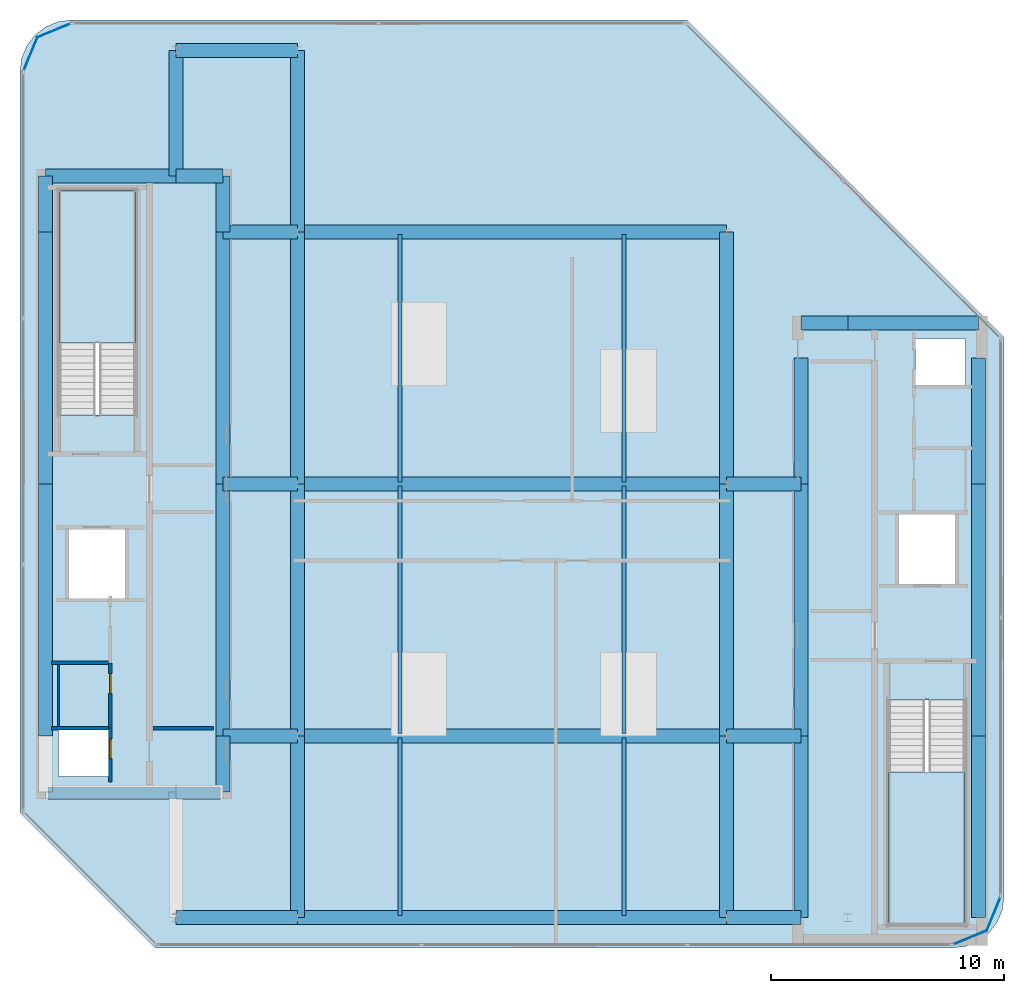
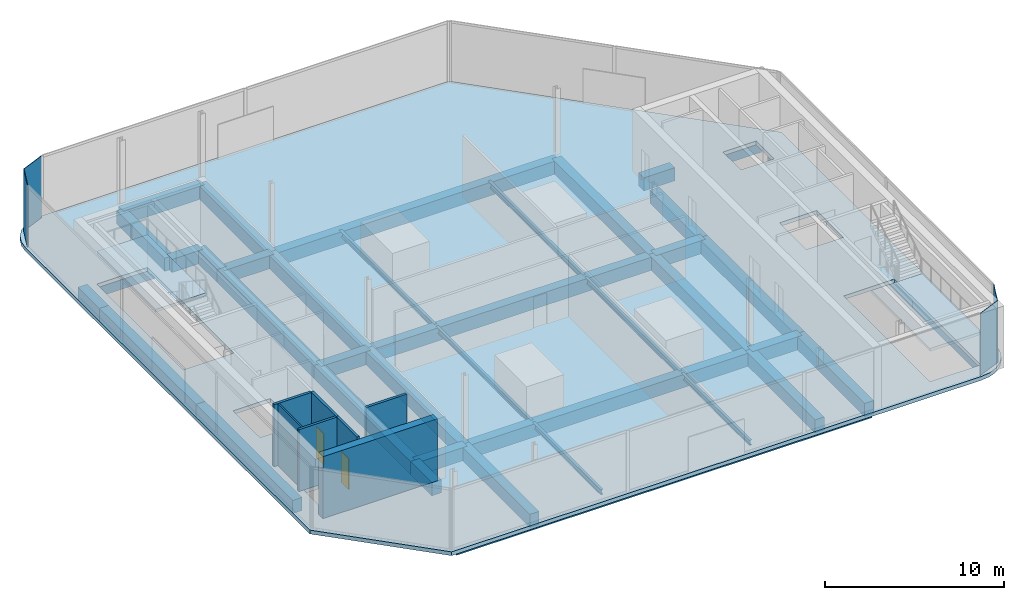
# One storey, part 4 of 15: 43 beams, 7 walls, 4 plates, 3 slabs, 2 doors, 2 openings, 2 elements without a shape of their own.
"""IFC4 building model written with IfcOpenShell, lengths in metres."""

from ifc_helpers import new_model, si_unit, direction, frame, frame_2d, origin, origin_2d, place, context, subcontext, project, spatial, polyline, rectangle, i_section, outline, extrude, material, layer, layer_set, material_profile, profile_set, type_object, element, fill, aggregate, save


model = new_model("IFC4")

# Units and contexts
model_context = context("Model", 3, precision=1e-05, world=origin(), true_north=direction((0.0, 1.0)))
body_context = subcontext(model_context, "Body", "Model", "MODEL_VIEW")
ifc_project = project(units=[si_unit("LENGTHUNIT", "METRE"), si_unit("AREAUNIT", "SQUARE_METRE"), si_unit("VOLUMEUNIT", "CUBIC_METRE"), si_unit("PLANEANGLEUNIT", "RADIAN"), si_unit("MASSUNIT", "GRAM", prefix="KILO")], contexts=[model_context])

# Site, building, storey
site_placement = place(None, origin())
site = spatial("IfcSite", under=ifc_project, at=site_placement, CompositionType="ELEMENT")
building_placement = place(site_placement, origin())
building = spatial("IfcBuilding", under=site, at=building_placement, Name="Khairoan Windgate Tower", CompositionType="ELEMENT")
storey_placement = place(building_placement, frame((0.0, 0.0, 335.0)))
storey = spatial("IfcBuildingStorey", under=building, at=storey_placement, Name="L80", CompositionType="ELEMENT", Elevation=335.0)

# Beams
ifc_material_1 = material(Name="Concrete C50/60", Category="concrete")
ifc_material_profile_1 = material_profile(ifc_material_1, rectangle(XDim=0.60009765625, YDim=0.89990234375, at=origin_2d()))
ifc_profile_set_1 = profile_set([ifc_material_profile_1], Name="Concrete C50/60")
beam_type_1 = type_object("IfcBeamType", Name="Beam B-RC1 RC600x900", PredefinedType="BEAM", material=ifc_profile_set_1)
beam_1_placement = place(storey_placement, frame((-14.39990234375, -18.60009765625, -0.7099609375), z_axis=(1.0, 0.0, 0.0), x_axis=(0.0, 1.0, 0.0)))
element("IfcBeam", 1, at=beam_1_placement, inside=storey, type_object=beam_type_1, Name="L80 E-W Primary Girder 01", PredefinedType="BEAM", context=body_context, shape_type="SweptSolid", body=[
    extrude(rectangle(XDim=0.60009765625, YDim=0.89990234375, at=origin_2d()), origin(), (0.0, 0.0, 1.0), 5.199951171875),
])
beam_2_placement = place(storey_placement, frame((-9.199951171875, -18.60009765625, -0.7099609375), z_axis=(1.0, 0.0, 0.0), x_axis=(0.0, 1.0, 0.0)))
element("IfcBeam", 2, at=beam_2_placement, inside=storey, type_object=beam_type_1, Name="L80 E-W Primary Girder 02", PredefinedType="BEAM", context=body_context, shape_type="SweptSolid", body=[
    extrude(rectangle(XDim=0.60009765625, YDim=0.89990234375, at=origin_2d()), origin(), (0.0, 0.0, 1.0), 18.39990234375),
])
for number, where, z_axis, x_axis, name in (
    (3, (9.199951171875, -18.60009765625, -0.7099609375), (1.0, 0.0, 0.0), (0.0, 1.0, 0.0), "L80 E-W Primary Girder 03"),
    (4, (-12.39990234375, -10.800048828125, -0.7099609375), (1.0, 0.0, 0.0), (0.0, 1.0, 0.0), "L80 E-W Primary Girder 06"),
):
    element("IfcBeam", number, at=place(storey_placement, frame(where, z_axis=z_axis, x_axis=x_axis)), inside=storey, type_object=beam_type_1, Name=name, PredefinedType="BEAM", context=body_context, shape_type="SweptSolid", body=[
        extrude(rectangle(XDim=0.60009765625, YDim=0.89990234375, at=origin_2d()), origin(), (0.0, 0.0, 1.0), 3.199951171875),
    ])
beam_3_placement = place(storey_placement, frame((-9.199951171875, -10.800048828125, -0.7099609375), z_axis=(1.0, 0.0, 0.0), x_axis=(0.0, 1.0, 0.0)))
element("IfcBeam", 5, at=beam_3_placement, inside=storey, type_object=beam_type_1, Name="L80 E-W Primary Girder 07", PredefinedType="BEAM", context=body_context, shape_type="SweptSolid", body=[
    extrude(rectangle(XDim=0.60009765625, YDim=0.89990234375, at=origin_2d()), origin(), (0.0, 0.0, 1.0), 18.39990234375),
])
for number, where, z_axis, x_axis, name in (
    (6, (9.199951171875, -10.800048828125, -0.7099609375), (1.0, 0.0, 0.0), (0.0, 1.0, 0.0), "L80 E-W Primary Girder 08"),
    (7, (-12.39990234375, 0.0, -0.7099609375), (1.0, 0.0, 0.0), (0.0, 1.0, 0.0), "L80 E-W Primary Girder 09"),
):
    element("IfcBeam", number, at=place(storey_placement, frame(where, z_axis=z_axis, x_axis=x_axis)), inside=storey, type_object=beam_type_1, Name=name, PredefinedType="BEAM", context=body_context, shape_type="SweptSolid", body=[
        extrude(rectangle(XDim=0.60009765625, YDim=0.89990234375, at=origin_2d()), origin(), (0.0, 0.0, 1.0), 3.199951171875),
    ])
beam_4_placement = place(storey_placement, frame((-9.199951171875, 0.0, -0.7099609375), z_axis=(1.0, 0.0, 0.0), x_axis=(0.0, 1.0, 0.0)))
element("IfcBeam", 8, at=beam_4_placement, inside=storey, type_object=beam_type_1, Name="L80 E-W Primary Girder 10", PredefinedType="BEAM", context=body_context, shape_type="SweptSolid", body=[
    extrude(rectangle(XDim=0.60009765625, YDim=0.89990234375, at=origin_2d()), origin(), (0.0, 0.0, 1.0), 18.39990234375),
])
beam_5_placement = place(storey_placement, frame((9.199951171875, 0.0, -0.7099609375), z_axis=(1.0, 0.0, 0.0), x_axis=(0.0, 1.0, 0.0)))
element("IfcBeam", 9, at=beam_5_placement, inside=storey, type_object=beam_type_1, Name="L80 E-W Primary Girder 11", PredefinedType="BEAM", context=body_context, shape_type="SweptSolid", body=[
    extrude(rectangle(XDim=0.60009765625, YDim=0.89990234375, at=origin_2d()), origin(), (0.0, 0.0, 1.0), 3.199951171875),
])
beam_6_placement = place(storey_placement, frame((12.39990234375, 6.89990234375, -0.7099609375), z_axis=(1.0, 0.0, 0.0), x_axis=(0.0, 1.0, 0.0)))
element("IfcBeam", 10, at=beam_6_placement, inside=storey, type_object=beam_type_1, Name="L80 E-W Primary Girder 12", PredefinedType="BEAM", context=body_context, shape_type="SweptSolid", body=[
    extrude(rectangle(XDim=0.60009765625, YDim=0.89990234375, at=origin_2d()), origin(), (0.0, 0.0, 1.0), 2.0),
])
beam_7_placement = place(storey_placement, frame((14.39990234375, 6.89990234375, -0.7099609375), z_axis=(1.0, 0.0, 0.0), x_axis=(0.0, 1.0, 0.0)))
element("IfcBeam", 11, at=beam_7_placement, inside=storey, type_object=beam_type_1, Name="L80 E-W Primary Girder 13", PredefinedType="BEAM", context=body_context, shape_type="SweptSolid", body=[
    extrude(rectangle(XDim=0.60009765625, YDim=0.89990234375, at=origin_2d()), origin(), (0.0, 0.0, 1.0), 5.60009765625),
])
beam_8_placement = place(storey_placement, frame((-12.39990234375, 10.800048828125, -0.7099609375), z_axis=(1.0, 0.0, 0.0), x_axis=(0.0, 1.0, 0.0)))
element("IfcBeam", 12, at=beam_8_placement, inside=storey, type_object=beam_type_1, Name="L80 E-W Primary Girder 14", PredefinedType="BEAM", context=body_context, shape_type="SweptSolid", body=[
    extrude(rectangle(XDim=0.60009765625, YDim=0.89990234375, at=origin_2d()), origin(), (0.0, 0.0, 1.0), 3.199951171875),
])
beam_9_placement = place(storey_placement, frame((-9.199951171875, 10.800048828125, -0.7099609375), z_axis=(1.0, 0.0, 0.0), x_axis=(0.0, 1.0, 0.0)))
element("IfcBeam", 13, at=beam_9_placement, inside=storey, type_object=beam_type_1, Name="L80 E-W Primary Girder 15", PredefinedType="BEAM", context=body_context, shape_type="SweptSolid", body=[
    extrude(rectangle(XDim=0.60009765625, YDim=0.89990234375, at=origin_2d()), origin(), (0.0, 0.0, 1.0), 18.39990234375),
])
beam_10_placement = place(storey_placement, frame((-20.0, 13.199951171875, -0.7099609375), z_axis=(1.0, 0.0, 0.0), x_axis=(0.0, 1.0, 0.0)))
element("IfcBeam", 14, at=beam_10_placement, inside=storey, type_object=beam_type_1, Name="L80 E-W Primary Girder 16", PredefinedType="BEAM", context=body_context, shape_type="SweptSolid", body=[
    extrude(rectangle(XDim=0.60009765625, YDim=0.89990234375, at=origin_2d()), origin(), (0.0, 0.0, 1.0), 5.60009765625),
])
beam_11_placement = place(storey_placement, frame((-14.39990234375, 13.199951171875, -0.7099609375), z_axis=(1.0, 0.0, 0.0), x_axis=(0.0, 1.0, 0.0)))
element("IfcBeam", 15, at=beam_11_placement, inside=storey, type_object=beam_type_1, Name="L80 E-W Primary Girder 17", PredefinedType="BEAM", context=body_context, shape_type="SweptSolid", body=[
    extrude(rectangle(XDim=0.60009765625, YDim=0.89990234375, at=origin_2d()), origin(), (0.0, 0.0, 1.0), 2.0),
])
beam_12_placement = place(storey_placement, frame((-14.39990234375, 18.60009765625, -0.7099609375), z_axis=(1.0, 0.0, 0.0), x_axis=(0.0, 1.0, 0.0)))
element("IfcBeam", 16, at=beam_12_placement, inside=storey, type_object=beam_type_1, Name="L80 E-W Primary Girder 18", PredefinedType="BEAM", context=body_context, shape_type="SweptSolid", body=[
    extrude(rectangle(XDim=0.60009765625, YDim=0.89990234375, at=origin_2d()), origin(), (0.0, 0.0, 1.0), 5.199951171875),
])
for number, where, z_axis, x_axis, name in (
    (17, (-20.0, -10.800048828125, -0.7099609375), (0.0, 1.0, 0.0), (-1.0, 0.0, 0.0), "L80 N-S Primary Beam 20"),
    (18, (-20.0, 0.0, -0.7099609375), (0.0, 1.0, 0.0), (-1.0, 0.0, 0.0), "L80 N-S Primary Beam 21"),
):
    element("IfcBeam", number, at=place(storey_placement, frame(where, z_axis=z_axis, x_axis=x_axis)), inside=storey, type_object=beam_type_1, Name=name, PredefinedType="BEAM", context=body_context, shape_type="SweptSolid", body=[
        extrude(rectangle(XDim=0.60009765625, YDim=0.89990234375, at=origin_2d()), origin(), (0.0, 0.0, 1.0), 10.800048828125),
    ])
beam_13_placement = place(storey_placement, frame((-20.0, 10.800048828125, -0.7099609375), z_axis=(0.0, 1.0, 0.0), x_axis=(-1.0, 0.0, 0.0)))
element("IfcBeam", 19, at=beam_13_placement, inside=storey, type_object=beam_type_1, Name="L80 N-S Primary Beam 22", PredefinedType="BEAM", context=body_context, shape_type="SweptSolid", body=[
    extrude(rectangle(XDim=0.60009765625, YDim=0.89990234375, at=origin_2d()), origin(), (0.0, 0.0, 1.0), 2.39990234375),
])
beam_14_placement = place(storey_placement, frame((-14.39990234375, 13.199951171875, -0.7099609375), z_axis=(0.0, 1.0, 0.0), x_axis=(-1.0, 0.0, 0.0)))
element("IfcBeam", 20, at=beam_14_placement, inside=storey, type_object=beam_type_1, Name="L80 N-S Primary Beam 24", PredefinedType="BEAM", context=body_context, shape_type="SweptSolid", body=[
    extrude(rectangle(XDim=0.60009765625, YDim=0.89990234375, at=origin_2d()), origin(), (0.0, 0.0, 1.0), 5.400146484375),
])
beam_15_placement = place(storey_placement, frame((-12.39990234375, -13.199951171875, -0.7099609375), z_axis=(0.0, 1.0, 0.0), x_axis=(-1.0, 0.0, 0.0)))
element("IfcBeam", 21, at=beam_15_placement, inside=storey, type_object=beam_type_1, Name="L80 N-S Primary Beam 25", PredefinedType="BEAM", context=body_context, shape_type="SweptSolid", body=[
    extrude(rectangle(XDim=0.60009765625, YDim=0.89990234375, at=origin_2d()), origin(), (0.0, 0.0, 1.0), 2.39990234375),
])
for number, where, z_axis, x_axis, name in (
    (22, (-12.39990234375, -10.800048828125, -0.7099609375), (0.0, 1.0, 0.0), (-1.0, 0.0, 0.0), "L80 N-S Primary Beam 26"),
    (23, (-12.39990234375, 0.0, -0.7099609375), (0.0, 1.0, 0.0), (-1.0, 0.0, 0.0), "L80 N-S Primary Beam 27"),
):
    element("IfcBeam", number, at=place(storey_placement, frame(where, z_axis=z_axis, x_axis=x_axis)), inside=storey, type_object=beam_type_1, Name=name, PredefinedType="BEAM", context=body_context, shape_type="SweptSolid", body=[
        extrude(rectangle(XDim=0.60009765625, YDim=0.89990234375, at=origin_2d()), origin(), (0.0, 0.0, 1.0), 10.800048828125),
    ])
beam_16_placement = place(storey_placement, frame((-12.39990234375, 10.800048828125, -0.7099609375), z_axis=(0.0, 1.0, 0.0), x_axis=(-1.0, 0.0, 0.0)))
element("IfcBeam", 24, at=beam_16_placement, inside=storey, type_object=beam_type_1, Name="L80 N-S Primary Beam 28", PredefinedType="BEAM", context=body_context, shape_type="SweptSolid", body=[
    extrude(rectangle(XDim=0.60009765625, YDim=0.89990234375, at=origin_2d()), origin(), (0.0, 0.0, 1.0), 2.39990234375),
])
beam_17_placement = place(storey_placement, frame((-9.199951171875, -18.60009765625, -0.7099609375), z_axis=(0.0, 1.0, 0.0), x_axis=(-1.0, 0.0, 0.0)))
element("IfcBeam", 25, at=beam_17_placement, inside=storey, type_object=beam_type_1, Name="L80 N-S Primary Beam 29", PredefinedType="BEAM", context=body_context, shape_type="SweptSolid", body=[
    extrude(rectangle(XDim=0.60009765625, YDim=0.89990234375, at=origin_2d()), origin(), (0.0, 0.0, 1.0), 7.800048828125),
])
for number, where, z_axis, x_axis, name in (
    (26, (-9.199951171875, -10.800048828125, -0.7099609375), (0.0, 1.0, 0.0), (-1.0, 0.0, 0.0), "L80 N-S Primary Beam 30"),
    (27, (-9.199951171875, 0.0, -0.7099609375), (0.0, 1.0, 0.0), (-1.0, 0.0, 0.0), "L80 N-S Primary Beam 31"),
):
    element("IfcBeam", number, at=place(storey_placement, frame(where, z_axis=z_axis, x_axis=x_axis)), inside=storey, type_object=beam_type_1, Name=name, PredefinedType="BEAM", context=body_context, shape_type="SweptSolid", body=[
        extrude(rectangle(XDim=0.60009765625, YDim=0.89990234375, at=origin_2d()), origin(), (0.0, 0.0, 1.0), 10.800048828125),
    ])
for number, where, z_axis, x_axis, name in (
    (28, (-9.199951171875, 10.800048828125, -0.7099609375), (0.0, 1.0, 0.0), (-1.0, 0.0, 0.0), "L80 N-S Primary Beam 32"),
    (29, (9.199951171875, -18.60009765625, -0.7099609375), (0.0, 1.0, 0.0), (-1.0, 0.0, 0.0), "L80 N-S Primary Beam 33"),
):
    element("IfcBeam", number, at=place(storey_placement, frame(where, z_axis=z_axis, x_axis=x_axis)), inside=storey, type_object=beam_type_1, Name=name, PredefinedType="BEAM", context=body_context, shape_type="SweptSolid", body=[
        extrude(rectangle(XDim=0.60009765625, YDim=0.89990234375, at=origin_2d()), origin(), (0.0, 0.0, 1.0), 7.800048828125),
    ])
for number, where, z_axis, x_axis, name in (
    (30, (9.199951171875, -10.800048828125, -0.7099609375), (0.0, 1.0, 0.0), (-1.0, 0.0, 0.0), "L80 N-S Primary Beam 34"),
    (31, (9.199951171875, 0.0, -0.7099609375), (0.0, 1.0, 0.0), (-1.0, 0.0, 0.0), "L80 N-S Primary Beam 35"),
):
    element("IfcBeam", number, at=place(storey_placement, frame(where, z_axis=z_axis, x_axis=x_axis)), inside=storey, type_object=beam_type_1, Name=name, PredefinedType="BEAM", context=body_context, shape_type="SweptSolid", body=[
        extrude(rectangle(XDim=0.60009765625, YDim=0.89990234375, at=origin_2d()), origin(), (0.0, 0.0, 1.0), 10.800048828125),
    ])
beam_18_placement = place(storey_placement, frame((12.39990234375, -18.60009765625, -0.7099609375), z_axis=(0.0, 1.0, 0.0), x_axis=(-1.0, 0.0, 0.0)))
element("IfcBeam", 32, at=beam_18_placement, inside=storey, type_object=beam_type_1, Name="L80 N-S Primary Beam 36", PredefinedType="BEAM", context=body_context, shape_type="SweptSolid", body=[
    extrude(rectangle(XDim=0.60009765625, YDim=0.89990234375, at=origin_2d()), origin(), (0.0, 0.0, 1.0), 7.800048828125),
])
beam_19_placement = place(storey_placement, frame((12.39990234375, -10.800048828125, -0.7099609375), z_axis=(0.0, 1.0, 0.0), x_axis=(-1.0, 0.0, 0.0)))
element("IfcBeam", 33, at=beam_19_placement, inside=storey, type_object=beam_type_1, Name="L80 N-S Primary Beam 37", PredefinedType="BEAM", context=body_context, shape_type="SweptSolid", body=[
    extrude(rectangle(XDim=0.60009765625, YDim=0.89990234375, at=origin_2d()), origin(), (0.0, 0.0, 1.0), 10.800048828125),
])
beam_20_placement = place(storey_placement, frame((12.39990234375, 0.0, -0.7099609375), z_axis=(0.0, 1.0, 0.0), x_axis=(-1.0, 0.0, 0.0)))
element("IfcBeam", 34, at=beam_20_placement, inside=storey, type_object=beam_type_1, Name="L80 N-S Primary Beam 38", PredefinedType="BEAM", context=body_context, shape_type="SweptSolid", body=[
    extrude(rectangle(XDim=0.60009765625, YDim=0.89990234375, at=origin_2d()), origin(), (0.0, 0.0, 1.0), 5.39990234375),
])
beam_21_placement = place(storey_placement, frame((20.0, -18.60009765625, -0.7099609375), z_axis=(0.0, 1.0, 0.0), x_axis=(-1.0, 0.0, 0.0)))
element("IfcBeam", 35, at=beam_21_placement, inside=storey, type_object=beam_type_1, Name="L80 N-S Primary Beam 39", PredefinedType="BEAM", context=body_context, shape_type="SweptSolid", body=[
    extrude(rectangle(XDim=0.60009765625, YDim=0.89990234375, at=origin_2d()), origin(), (0.0, 0.0, 1.0), 7.800048828125),
])
beam_22_placement = place(storey_placement, frame((20.0, -10.800048828125, -0.7099609375), z_axis=(0.0, 1.0, 0.0), x_axis=(-1.0, 0.0, 0.0)))
element("IfcBeam", 36, at=beam_22_placement, inside=storey, type_object=beam_type_1, Name="L80 N-S Primary Beam 40", PredefinedType="BEAM", context=body_context, shape_type="SweptSolid", body=[
    extrude(rectangle(XDim=0.60009765625, YDim=0.89990234375, at=origin_2d()), origin(), (0.0, 0.0, 1.0), 10.800048828125),
])
beam_23_placement = place(storey_placement, frame((20.0, 0.0, -0.7099609375), z_axis=(0.0, 1.0, 0.0), x_axis=(-1.0, 0.0, 0.0)))
element("IfcBeam", 37, at=beam_23_placement, inside=storey, type_object=beam_type_1, Name="L80 N-S Primary Beam 41", PredefinedType="BEAM", context=body_context, shape_type="SweptSolid", body=[
    extrude(rectangle(XDim=0.60009765625, YDim=0.89990234375, at=origin_2d()), origin(), (0.0, 0.0, 1.0), 5.39990234375),
])
ifc_material_2 = material(Name="Steel S355", Category="steel")
ifc_material_profile_2 = material_profile(ifc_material_2, i_section(OverallWidth=0.175048828125, OverallDepth=0.35009765625, WebThickness=0.007080078125, FlangeThickness=0.010986328125, FilletRadius=0.013916015625, at=origin_2d()))
ifc_profile_set_2 = profile_set([ifc_material_profile_2], Name="Steel S355")
beam_type_2 = type_object("IfcBeamType", Name="Beam J-S5 H350x175x7x11", PredefinedType="JOIST", material=ifc_profile_set_2)
beam_24_placement = place(storey_placement, frame((-4.800048828125, -18.510009765625, -0.43505859375), z_axis=(0.0, 1.0, 0.0), x_axis=(-1.0, 0.0, 0.0)))
element("IfcBeam", 38, at=beam_24_placement, inside=storey, type_object=beam_type_2, Name="L80 Secondary Floor Joist 01", PredefinedType="JOIST", context=body_context, shape_type="SweptSolid", body=[
    extrude(i_section(OverallWidth=0.175048828125, OverallDepth=0.35009765625, WebThickness=0.007080078125, FlangeThickness=0.010986328125, FilletRadius=0.013916015625, at=origin_2d()), origin(), (0.0, 0.0, 1.0), 7.6201171875),
])
for number, where, z_axis, x_axis, name in (
    (39, (-4.800048828125, -10.7099609375, -0.43505859375), (0.0, 1.0, 0.0), (-1.0, 0.0, 0.0), "L80 Secondary Floor Joist 02"),
    (40, (-4.800048828125, 0.090087890625, -0.43505859375), (0.0, 1.0, 0.0), (-1.0, 0.0, 0.0), "L80 Secondary Floor Joist 03"),
):
    element("IfcBeam", number, at=place(storey_placement, frame(where, z_axis=z_axis, x_axis=x_axis)), inside=storey, type_object=beam_type_2, Name=name, PredefinedType="JOIST", context=body_context, shape_type="SweptSolid", body=[
        extrude(i_section(OverallWidth=0.175048828125, OverallDepth=0.35009765625, WebThickness=0.007080078125, FlangeThickness=0.010986328125, FilletRadius=0.013916015625, at=origin_2d()), origin(), (0.0, 0.0, 1.0), 10.619873046875),
    ])
beam_25_placement = place(storey_placement, frame((4.800048828125, -18.510009765625, -0.43505859375), z_axis=(0.0, 1.0, 0.0), x_axis=(-1.0, 0.0, 0.0)))
element("IfcBeam", 41, at=beam_25_placement, inside=storey, type_object=beam_type_2, Name="L80 Secondary Floor Joist 04", PredefinedType="JOIST", context=body_context, shape_type="SweptSolid", body=[
    extrude(i_section(OverallWidth=0.175048828125, OverallDepth=0.35009765625, WebThickness=0.007080078125, FlangeThickness=0.010986328125, FilletRadius=0.013916015625, at=origin_2d()), origin(), (0.0, 0.0, 1.0), 7.6201171875),
])
for number, where, z_axis, x_axis, name in (
    (42, (4.800048828125, -10.7099609375, -0.43505859375), (0.0, 1.0, 0.0), (-1.0, 0.0, 0.0), "L80 Secondary Floor Joist 05"),
    (43, (4.800048828125, 0.090087890625, -0.43505859375), (0.0, 1.0, 0.0), (-1.0, 0.0, 0.0), "L80 Secondary Floor Joist 06"),
):
    element("IfcBeam", number, at=place(storey_placement, frame(where, z_axis=z_axis, x_axis=x_axis)), inside=storey, type_object=beam_type_2, Name=name, PredefinedType="JOIST", context=body_context, shape_type="SweptSolid", body=[
        extrude(i_section(OverallWidth=0.175048828125, OverallDepth=0.35009765625, WebThickness=0.007080078125, FlangeThickness=0.010986328125, FilletRadius=0.013916015625, at=origin_2d()), origin(), (0.0, 0.0, 1.0), 10.619873046875),
    ])

# Plates
ifc_material_3 = material(Name="Low-E Solar Control Laminated Glass", Category="glass")
ifc_layer_1 = layer(ifc_material_3, 0.030029296875, Name="Low-E Solar Control Laminated Glass")
ifc_layer_set_1 = layer_set([ifc_layer_1], Name="Low-E Solar Control Laminated Glass")
plate_type = type_object("IfcPlateType", Name="Aerodynamic Wind-Corner Curved Glazing Plate", PredefinedType="USERDEFINED", material=ifc_layer_set_1)
for number, where, z_axis, x_axis, name in (
    (44, (-20.657958984375, 18.42333984375, 0.0), (0.0, 0.0, 1.0), (0.381231734269, 0.924479510204, 0.0), "L80 Aerodynamic Wind-Corner Curved Glazing Panel 4"),
    (45, (-19.623291015625, 19.4580078125, 0.0), (0.0, 0.0, 1.0), (0.924479510204, 0.381231734269, 0.0), "L80 Aerodynamic Wind-Corner Curved Glazing Panel 5"),
    (46, (20.657958984375, -18.42333984375, 0.0), (0.0, 0.0, 1.0), (-0.381231734269, -0.924479510204, 0.0), "L80 Aerodynamic Wind-Corner Curved Glazing Panel 9"),
    (47, (19.623291015625, -19.4580078125, 0.0), (0.0, 0.0, 1.0), (-0.924479510204, -0.381231734269, 0.0), "L80 Aerodynamic Wind-Corner Curved Glazing Panel 10"),
):
    element("IfcPlate", number, at=place(storey_placement, frame(where, z_axis=z_axis, x_axis=x_axis)), inside=storey, type_object=plate_type, Name=name, ObjectType="GLAZING PANEL", PredefinedType="USERDEFINED", context=body_context, shape_type="SweptSolid", body=[
        extrude(rectangle(XDim=1.624755859375, YDim=0.035888671875, at=origin_2d()), origin(), (0.0, 0.0, 1.0), 4.219970703125),
    ])

# Stair, slab
ifc_material_4 = material(Name="Concrete C40/50", Category="concrete")
stair_type = type_object("IfcStairType", Name="Tower Core Dog-Leg Stair ST-T1 1560mm", PredefinedType="HALF_TURN_STAIR", material=ifc_material_4)
stair_1_placement = place(storey_placement, origin())
stair_1 = element("IfcStair", 48, at=stair_1_placement, inside=storey, type_object=stair_type, Name="L80 Stair ST1", PredefinedType="HALF_TURN_STAIR")
ifc_material_5 = material(Name="Concrete C40/50", Category="concrete")
ifc_layer_2 = layer(ifc_material_5, 0.199951171875, Name="Concrete C40/50")
ifc_layer_set_2 = layer_set([ifc_layer_2], Name="Concrete C40/50")
slab_type_1 = type_object("IfcSlabType", Name="Reinforced Concrete Stair Landing Slab STL-200", PredefinedType="LANDING", material=ifc_layer_set_2)
slab_1_placement = place(storey_placement, frame((0.0, 0.0, 2.050048828125)))
slab_1 = element("IfcSlab", 49, at=slab_1_placement, type_object=slab_type_1, Name="ST1 landing 1", PredefinedType="LANDING", context=body_context, shape_type="SweptSolid", body=[
    extrude(outline(polyline([(16.14990234375, -12.340087890625), (16.14990234375, -18.89990234375), (19.419921875, -18.89990234375), (19.419921875, -12.340087890625), (16.14990234375, -12.340087890625)])), origin(), (0.0, 0.0, 1.0), 0.199951171875),
])
aggregate(stair_1, [slab_1])

stair_2_placement = place(storey_placement, origin())
stair_2 = element("IfcStair", 50, at=stair_2_placement, inside=storey, type_object=stair_type, Name="L80 Stair ST2", PredefinedType="HALF_TURN_STAIR")
slab_2_placement = place(storey_placement, frame((0.0, 0.0, 2.050048828125)))
slab_2 = element("IfcSlab", 51, at=slab_2_placement, type_object=slab_type_1, Name="ST2 landing 1", PredefinedType="LANDING", context=body_context, shape_type="SweptSolid", body=[
    extrude(outline(polyline([(-16.14990234375, 6.0400390625), (-16.14990234375, 12.60009765625), (-19.419921875, 12.60009765625), (-19.419921875, 6.0400390625), (-16.14990234375, 6.0400390625)])), origin(), (0.0, 0.0, 1.0), 0.199951171875),
])
aggregate(stair_2, [slab_2])

# Slab
ifc_material_6 = material(Name="Concrete C40/50", Category="concrete")
ifc_layer_3 = layer(ifc_material_6, 0.260009765625, Name="Concrete C40/50")
ifc_layer_set_3 = layer_set([ifc_layer_3], Name="Concrete C40/50")
slab_type_2 = type_object("IfcSlabType", Name="Tower Composite Floor Slab FS2 260mm", PredefinedType="FLOOR", material=ifc_layer_set_3)
slab_3_placement = place(storey_placement, frame((0.0, 0.0, -0.260009765625)))
element("IfcSlab", 52, at=slab_3_placement, inside=storey, type_object=slab_type_2, Name="L80 Structural Floor Slab", PredefinedType="FLOOR", context=body_context, shape_type="SweptSolid", body=[
    extrude(outline(polyline([(18.89990234375, -19.89990234375), (19.469482421875, -19.824951171875), (20.0, -19.605224609375), (20.45556640625, -19.255615234375), (20.805419921875, -18.800048828125), (21.02490234375, -18.269287109375), (21.10009765625, -17.699951171875), (21.10009765625, 6.300048828125), (7.5, 19.89990234375), (-18.89990234375, 19.89990234375), (-19.469482421875, 19.824951171875), (-20.0, 19.605224609375), (-20.45556640625, 19.255615234375), (-20.805419921875, 18.800048828125), (-21.02490234375, 18.269287109375), (-21.10009765625, 17.699951171875), (-21.10009765625, -14.10009765625), (-15.300048828125, -19.89990234375), (18.89990234375, -19.89990234375)]), holes=[polyline([(16.14990234375, -9.260009765625), (16.14990234375, -18.89990234375), (19.419921875, -18.89990234375), (19.419921875, -9.260009765625), (16.14990234375, -9.260009765625)]), polyline([(-16.14990234375, 2.9599609375), (-16.14990234375, 12.60009765625), (-19.419921875, 12.60009765625), (-19.419921875, 2.9599609375), (-16.14990234375, 2.9599609375)]), polyline([(16.60009765625, -4.300048828125), (19.0, -4.300048828125), (19.0, -1.300048828125), (16.60009765625, -1.300048828125), (16.60009765625, -4.300048828125)]), polyline([(-19.0, -4.89990234375), (-16.60009765625, -4.89990234375), (-16.60009765625, -1.89990234375), (-19.0, -1.89990234375), (-19.0, -4.89990234375)]), polyline([(-19.449951171875, -12.550048828125), (-17.31005859375, -12.550048828125), (-17.31005859375, -10.550048828125), (-19.449951171875, -10.550048828125), (-19.449951171875, -12.550048828125)]), polyline([(17.31005859375, 4.25), (19.449951171875, 4.25), (19.449951171875, 6.25), (17.31005859375, 6.25), (17.31005859375, 4.25)])]), origin(), (0.0, 0.0, 1.0), 0.260009765625),
])

# Walls
ifc_material_7 = material(Name="Moisture-Resistant Gypsum Partition", Category="gypsum")
ifc_layer_4 = layer(ifc_material_7, 0.10009765625, Name="Moisture-Resistant Gypsum Partition")
ifc_layer_set_4 = layer_set([ifc_layer_4], Name="Moisture-Resistant Gypsum Partition")
wall_type_1 = type_object("IfcWallType", Name="Bathroom Wet-Area Partition Wall", PredefinedType="PARTITIONING", material=ifc_layer_set_4)
wall_1_placement = place(storey_placement, frame((-19.449951171875, -10.389892578125, 0.0), z_axis=(0.0, 0.0, 1.0), x_axis=(0.0, 1.0, 0.0)))
element("IfcWall", 53, at=wall_1_placement, inside=storey, type_object=wall_type_1, Name="L80 Wet Room Side Wall 017", PredefinedType="PARTITIONING", context=body_context, shape_type="SweptSolid", body=[
    extrude(rectangle(XDim=2.639892578125, YDim=0.10009765625, at=frame_2d((1.31982421875, 0.0))), origin(), (0.0, 0.0, 1.0), 4.219970703125),
])
ifc_material_8 = material(Name="Concrete C40/50", Category="concrete")
ifc_layer_5 = layer(ifc_material_8, 0.159912109375, Name="Concrete C40/50")
ifc_layer_set_5 = layer_set([ifc_layer_5], Name="Concrete C40/50")
wall_type_2 = type_object("IfcWallType", Name="Core and Hoistway Enclosure Wall", PredefinedType="STANDARD", material=ifc_layer_set_5)
wall_2_placement = place(storey_placement, frame((-15.39990234375, -10.47998046875, 0.0), z_axis=(0.0, 0.0, 1.0), x_axis=(1.0, 0.0, 0.0)))
element("IfcWall", 54, at=wall_2_placement, inside=storey, type_object=wall_type_2, Name="L80 Core Shaft Wall SW-WSV-L80", PredefinedType="STANDARD", context=body_context, shape_type="SweptSolid", body=[
    extrude(rectangle(XDim=2.599853515625, YDim=0.159912109375, at=frame_2d((1.2998046875, 0.0))), origin(), (0.0, 0.0, 1.0), 4.219970703125),
])

# Wall, opening, door
ifc_material_9 = material(Name="Concrete C40/50", Category="concrete")
ifc_layer_6 = layer(ifc_material_9, 0.159912109375, Name="Concrete C40/50")
ifc_layer_set_6 = layer_set([ifc_layer_6], Name="Concrete C40/50")
wall_type_3 = type_object("IfcWallType", Name="Plant and Refuge Compartment Wall", PredefinedType="PARTITIONING", material=ifc_layer_set_6)
wall_3_placement = place(storey_placement, frame((-17.22998046875, -12.7900390625, 0.0), z_axis=(0.0, 0.0, 1.0), x_axis=(0.0, 1.0, 0.0)))
wall_3 = element("IfcWall", 55, at=wall_3_placement, inside=storey, type_object=wall_type_3, Name="L80 Interior Partition 001", PredefinedType="PARTITIONING", context=body_context, shape_type="SweptSolid", body=[
    extrude(rectangle(XDim=2.320068359375, YDim=0.159912109375, at=frame_2d((1.16015625, 0.0))), origin(), (0.0, 0.0, 1.0), 4.219970703125),
])
opening_1_placement = place(wall_3_placement, frame((1.010009765625, 0.0, 0.0)))
opening_1 = element("IfcOpeningElement", 56, at=opening_1_placement, cuts=wall_3, Name="Opening FD-SRV", PredefinedType="OPENING", context=body_context, shape_type="SweptSolid", body=[
    extrude(rectangle(XDim=0.85009765625, YDim=2.10009765625, at=frame_2d((0.425048828125, 1.050048828125))), frame((0.0, 0.08984375, 0.0), z_axis=(0.0, -1.0, 0.0), x_axis=(1.0, 0.0, 0.0)), (0.0, 0.0, 1.0), 0.179931640625),
])
ifc_material_10 = material(Name="Steel S355", Category="steel")
door_type = type_object("IfcDoorType", Name="Core Service and Riser Fire Door FD-SRV 850x2100", OperationType="NOTDEFINED", PredefinedType="DOOR", material=ifc_material_10)
door_1_placement = place(opening_1_placement, origin())
door_1 = element("IfcDoor", 57, at=door_1_placement, inside=storey, type_object=door_type, Name="L80 L80-04-L80-05 Door", OperationType="SINGLE_SWING_LEFT", OverallHeight=2.10009765625, OverallWidth=0.85009765625, PredefinedType="DOOR", context=body_context, shape_type="SweptSolid", body=[
    extrude(rectangle(XDim=0.85009765625, YDim=2.10009765625, at=frame_2d((0.425048828125, 1.050048828125))), frame((0.0, 0.02490234375, 0.0), z_axis=(0.0, -1.0, 0.0), x_axis=(1.0, 0.0, 0.0)), (0.0, 0.0, 1.0), 0.050048828125),
])
fill(opening_1, door_1)

wall_4_placement = place(storey_placement, frame((-17.22998046875, -10.469970703125, 0.0), z_axis=(0.0, 0.0, 1.0), x_axis=(0.0, 1.0, 0.0)))
wall_4 = element("IfcWall", 58, at=wall_4_placement, inside=storey, type_object=wall_type_3, Name="L80 Interior Partition 002", PredefinedType="PARTITIONING", context=body_context, shape_type="SweptSolid", body=[
    extrude(rectangle(XDim=2.800048828125, YDim=0.159912109375, at=frame_2d((1.39990234375, 0.0))), origin(), (0.0, 0.0, 1.0), 4.219970703125),
])
opening_2_placement = place(wall_4_placement, frame((1.489990234375, 0.0, 0.0)))
opening_2 = element("IfcOpeningElement", 59, at=opening_2_placement, cuts=wall_4, Name="Opening FD-SRV", PredefinedType="OPENING", context=body_context, shape_type="SweptSolid", body=[
    extrude(rectangle(XDim=0.85009765625, YDim=2.10009765625, at=frame_2d((0.425048828125, 1.050048828125))), frame((0.0, 0.08984375, 0.0), z_axis=(0.0, -1.0, 0.0), x_axis=(1.0, 0.0, 0.0)), (0.0, 0.0, 1.0), 0.179931640625),
])
door_2_placement = place(opening_2_placement, origin())
door_2 = element("IfcDoor", 60, at=door_2_placement, inside=storey, type_object=door_type, Name="L80 L80-04-L80-06 Door", OperationType="SINGLE_SWING_RIGHT", OverallHeight=2.10009765625, OverallWidth=0.85009765625, PredefinedType="DOOR", context=body_context, shape_type="SweptSolid", body=[
    extrude(rectangle(XDim=0.85009765625, YDim=2.10009765625, at=frame_2d((0.425048828125, 1.050048828125))), frame((0.0, 0.02490234375, 0.0), z_axis=(0.0, -1.0, 0.0), x_axis=(1.0, 0.0, 0.0)), (0.0, 0.0, 1.0), 0.050048828125),
])
fill(opening_2, door_2)

# Walls
for number, where, z_axis, x_axis, name in (
    (61, (-19.75, -10.469970703125, 0.0), (0.0, 0.0, 1.0), (1.0, 0.0, 0.0), "L80 Interior Partition 004"),
    (62, (-19.75, -7.669921875, 0.0), (0.0, 0.0, 1.0), (1.0, 0.0, 0.0), "L80 Interior Partition 005"),
):
    element("IfcWall", number, at=place(storey_placement, frame(where, z_axis=z_axis, x_axis=x_axis)), inside=storey, type_object=wall_type_3, Name=name, PredefinedType="PARTITIONING", context=body_context, shape_type="SweptSolid", body=[
        extrude(rectangle(XDim=2.43994140625, YDim=0.159912109375, at=frame_2d((1.219970703125, 0.0))), origin(), (0.0, 0.0, 1.0), 4.219970703125),
    ])
ifc_material_11 = material(Name="Concrete C50/60", Category="concrete")
ifc_layer_7 = layer(ifc_material_11, 0.5, Name="Concrete C50/60")
ifc_layer_set_7 = layer_set([ifc_layer_7], Name="Concrete C50/60")
wall_type_4 = type_object("IfcWallType", Name="Shear Wall CW-W3 500mm", PredefinedType="SHEAR", material=ifc_layer_set_7)
wall_5_placement = place(storey_placement, frame((-19.89990234375, -13.25, 0.0), z_axis=(0.0, 0.0, 1.0), x_axis=(1.0, 0.0, 0.0)))
element("IfcWall", 63, at=wall_5_placement, inside=storey, type_object=wall_type_4, Name="W Core South Shear Wall L80", PredefinedType="SHEAR", context=body_context, shape_type="SweptSolid", body=[
    extrude(rectangle(XDim=7.39990234375, YDim=0.5, at=frame_2d((3.699951171875, 0.0))), origin(), (0.0, 0.0, 1.0), 4.219970703125),
])

save(model, "model.ifc")
